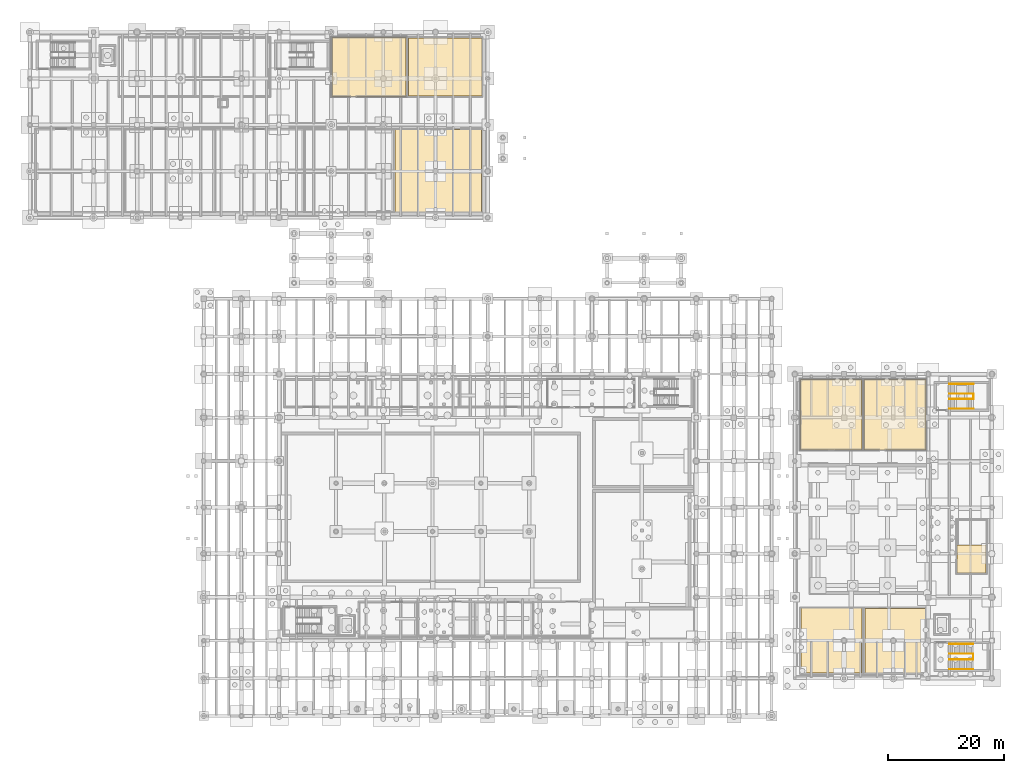
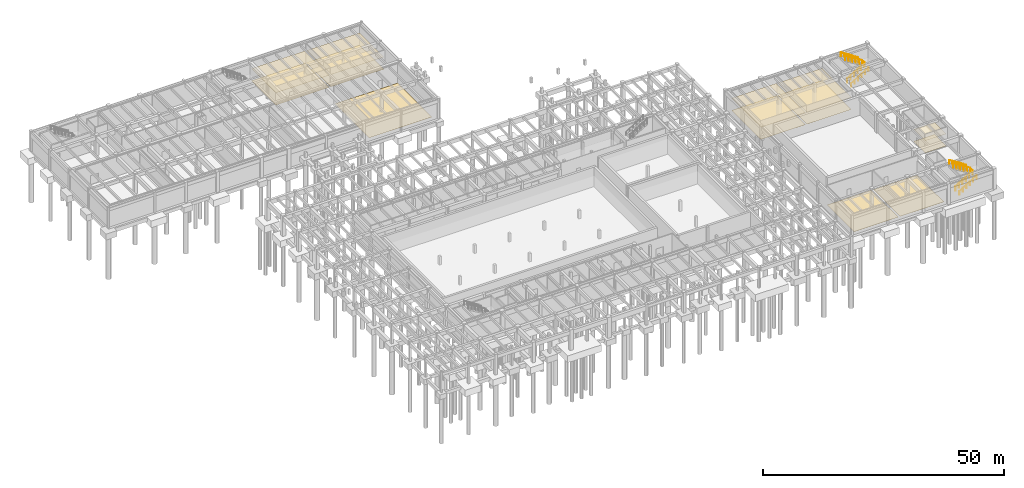
# One storey, part 35 of 36: 13 coverings, 6 railings.
"""IFC4 building model written with IfcOpenShell, lengths in metres."""

from ifc_helpers import new_model, si_unit, direction, frame, origin, origin_2d, place, context, subcontext, project, spatial, polyline, circle, outline, extrude, material, layer, layer_set, type_object, element, save


model = new_model("IFC4")

# Units and contexts
model_context = context("Model", 3, precision=1e-05, world=origin(), true_north=direction((0.0, 1.0)))
body_context = subcontext(model_context, "Body", "Model", "MODEL_VIEW")
ifc_project = project(units=[si_unit("LENGTHUNIT", "METRE"), si_unit("AREAUNIT", "SQUARE_METRE"), si_unit("VOLUMEUNIT", "CUBIC_METRE"), si_unit("PLANEANGLEUNIT", "RADIAN"), si_unit("MASSUNIT", "GRAM", prefix="KILO"), si_unit("THERMODYNAMICTEMPERATUREUNIT", "KELVIN"), si_unit("POWERUNIT", "WATT")], contexts=[model_context])

# Site, building, storey
site_placement = place(None, origin())
site = spatial("IfcSite", under=ifc_project, at=site_placement, CompositionType="ELEMENT")
building_placement = place(site_placement, origin())
building = spatial("IfcBuilding", under=site, at=building_placement, Name="Tepalcoro Natatorium and Aquatics Centre", CompositionType="ELEMENT")
storey_placement = place(building_placement, frame((0.0, 0.0, -5.199951171875)))
storey = spatial("IfcBuildingStorey", under=building, at=storey_placement, Name="B1", CompositionType="ELEMENT", Elevation=-5.199951171875)

# Coverings
ifc_material_1 = material(Name="Perforated Corrosion-Resistant Acoustic Aluminium Baffle Ceiling", Category="aluminium")
ifc_layer_1 = layer(ifc_material_1, 0.044921875)
ifc_layer_set_1 = layer_set([ifc_layer_1], Name="Perforated Corrosion-Resistant Acoustic Aluminium Baffle Ceiling")
covering_type_1 = type_object("IfcCoveringType", Name="CL_BAFFLE_120", PredefinedType="CEILING", material=ifc_layer_set_1)
covering_1_placement = place(storey_placement, frame((0.0, 0.0, 3.050048828125)))
element("IfcCovering", 1, at=covering_1_placement, inside=storey, type_object=covering_type_1, Name="Underwater Observation Window Gallery Suspended Ceiling", PredefinedType="CEILING", context=body_context, shape_type="SweptSolid", body=[
    extrude(outline(polyline([(142.97998046875, 45.93994140625), (142.97998046875, 58.06005859375), (153.6201171875, 58.06005859375), (153.6201171875, 45.93994140625), (142.97998046875, 45.93994140625)])), origin(), (0.0, 0.0, 1.0), 0.044921875),
])
covering_2_placement = place(storey_placement, frame((0.0, 0.0, 3.050048828125)))
element("IfcCovering", 2, at=covering_2_placement, inside=storey, type_object=covering_type_1, Name="Water-Quality Testing Laboratory Suspended Ceiling", PredefinedType="CEILING", context=body_context, shape_type="SweptSolid", body=[
    extrude(outline(polyline([(62.179931640625, 106.93994140625), (62.179931640625, 117.06005859375), (74.919921875, 117.06005859375), (74.919921875, 106.93994140625), (62.179931640625, 106.93994140625)])), origin(), (0.0, 0.0, 1.0), 0.044921875),
])
ifc_material_2 = material(Name="Moisture-Resistant Acoustic Gypsum Drywall on Cold-Formed Metal Studs")
ifc_layer_2 = layer(ifc_material_2, 0.030029296875)
ifc_layer_set_2 = layer_set([ifc_layer_2], Name="Moisture-Resistant Acoustic Gypsum Drywall on Cold-Formed Metal Studs")
covering_type_2 = type_object("IfcCoveringType", Name="CL_GYPSUM_30", PredefinedType="CEILING", material=ifc_layer_set_2)
covering_3_placement = place(storey_placement, frame((0.0, 0.0, 3.050048828125)))
element("IfcCovering", 3, at=covering_3_placement, inside=storey, type_object=covering_type_2, Name="Underwater Biomechanics Camera & Timing Vault Suspended Ceiling", PredefinedType="CEILING", context=body_context, shape_type="SweptSolid", body=[
    extrude(outline(polyline([(153.97998046875, 45.93994140625), (153.97998046875, 58.06005859375), (164.6201171875, 58.06005859375), (164.6201171875, 45.93994140625), (153.97998046875, 45.93994140625)])), origin(), (0.0, 0.0, 1.0), 0.02978515625),
])
covering_4_placement = place(storey_placement, frame((0.0, 0.0, 3.050048828125)))
element("IfcCovering", 4, at=covering_4_placement, inside=storey, type_object=covering_type_2, Name="Instrumentation & Telemetry Workshop Suspended Ceiling", PredefinedType="CEILING", context=body_context, shape_type="SweptSolid", body=[
    extrude(outline(polyline([(75.31005859375, 106.969970703125), (75.31005859375, 117.030029296875), (87.989990234375, 117.030029296875), (87.989990234375, 106.969970703125), (75.31005859375, 106.969970703125)])), origin(), (0.0, 0.0, 1.0), 0.02978515625),
])
ifc_layer_3 = layer(ifc_material_1, 0.0400390625)
ifc_layer_set_3 = layer_set([ifc_layer_3], Name="Perforated Corrosion-Resistant Acoustic Aluminium Baffle Ceiling")
covering_type_3 = type_object("IfcCoveringType", Name="CL_PERF_AL_40", PredefinedType="CEILING", material=ifc_layer_set_3)
covering_5_placement = place(storey_placement, frame((0.0, 0.0, 3.050048828125)))
element("IfcCovering", 5, at=covering_5_placement, inside=storey, type_object=covering_type_3, Name="B1 Staff Accessible WC & Shower Suspended Ceiling", PredefinedType="CEILING", context=body_context, shape_type="SweptSolid", body=[
    extrude(outline(polyline([(175.010009765625, 24.68994140625), (169.989990234375, 24.68994140625), (169.989990234375, 29.5), (175.010009765625, 29.5), (175.010009765625, 24.68994140625)])), origin(), (0.0, 0.0, 1.0), 0.039794921875),
])
ifc_material_3 = material(Name="Shock-Absorbing Vulcanised Athletic Rubber Flooring")
ifc_layer_4 = layer(ifc_material_3, 0.010009765625)
ifc_layer_set_4 = layer_set([ifc_layer_4], Name="Shock-Absorbing Vulcanised Athletic Rubber Flooring")
covering_type_4 = type_object("IfcCoveringType", Name="FL_CARPET_10", PredefinedType="FLOORING", material=ifc_layer_set_4)
covering_6_placement = place(storey_placement, origin())
element("IfcCovering", 6, at=covering_6_placement, inside=storey, type_object=covering_type_4, Name="Underwater Biomechanics Camera & Timing Vault Floor Finish", PredefinedType="FLOORING", context=body_context, shape_type="SweptSolid", body=[
    extrude(outline(polyline([(153.97998046875, 45.93994140625), (153.97998046875, 58.06005859375), (164.6201171875, 58.06005859375), (164.6201171875, 45.93994140625), (153.97998046875, 45.93994140625)])), origin(), (0.0, 0.0, 1.0), 0.010009765625),
])
ifc_material_4 = material(Name="Slip-Resistant Porcelain Aquatic Deck Tile")
ifc_layer_5 = layer(ifc_material_4, 0.02197265625)
ifc_layer_set_5 = layer_set([ifc_layer_5], Name="Slip-Resistant Porcelain Aquatic Deck Tile")
covering_type_5 = type_object("IfcCoveringType", Name="FL_DECK_TILE_22", PredefinedType="FLOORING", material=ifc_layer_set_5)
covering_7_placement = place(storey_placement, origin())
element("IfcCovering", 7, at=covering_7_placement, inside=storey, type_object=covering_type_5, Name="Diving Well Filtration & Air-Cushion Sparger Plant Floor Finish", PredefinedType="FLOORING", context=body_context, shape_type="SweptSolid", body=[
    extrude(outline(polyline([(143.034912109375, 7.39501953125), (143.034912109375, 18.60498046875), (153.56494140625, 18.60498046875), (153.56494140625, 7.39501953125), (143.034912109375, 7.39501953125)])), origin(), (0.0, 0.0, 1.0), 0.02197265625),
])
ifc_material_5 = material(Name="Chemical-Resistant Quartz-Broadcast Epoxy Flooring")
ifc_layer_6 = layer(ifc_material_5, 0.008056640625)
ifc_layer_set_6 = layer_set([ifc_layer_6], Name="Chemical-Resistant Quartz-Broadcast Epoxy Flooring")
covering_type_6 = type_object("IfcCoveringType", Name="FL_EPOXY_8", PredefinedType="FLOORING", material=ifc_layer_set_6)
covering_8_placement = place(storey_placement, origin())
element("IfcCovering", 8, at=covering_8_placement, inside=storey, type_object=covering_type_6, Name="Underwater Observation Window Gallery Floor Finish", PredefinedType="FLOORING", context=body_context, shape_type="SweptSolid", body=[
    extrude(outline(polyline([(142.97998046875, 45.93994140625), (142.97998046875, 58.06005859375), (153.6201171875, 58.06005859375), (153.6201171875, 45.93994140625), (142.97998046875, 45.93994140625)])), origin(), (0.0, 0.0, 1.0), 0.008056640625),
])
ifc_layer_7 = layer(ifc_material_3, 0.011962890625)
ifc_layer_set_7 = layer_set([ifc_layer_7], Name="Shock-Absorbing Vulcanised Athletic Rubber Flooring")
covering_type_7 = type_object("IfcCoveringType", Name="FL_RUBBER_12", PredefinedType="FLOORING", material=ifc_layer_set_7)
covering_9_placement = place(storey_placement, origin())
element("IfcCovering", 9, at=covering_9_placement, inside=storey, type_object=covering_type_7, Name="Water-Quality Testing Laboratory Floor Finish", PredefinedType="FLOORING", context=body_context, shape_type="SweptSolid", body=[
    extrude(outline(polyline([(62.179931640625, 106.93994140625), (62.179931640625, 117.06005859375), (74.919921875, 117.06005859375), (74.919921875, 106.93994140625), (62.179931640625, 106.93994140625)])), origin(), (0.0, 0.0, 1.0), 0.011962890625),
])
ifc_material_6 = material(Name="Polished Jalisco Basalt Aggregate Terrazzo Flooring", Category="masonry")
ifc_layer_8 = layer(ifc_material_6, 0.028076171875)
ifc_layer_set_8 = layer_set([ifc_layer_8], Name="Polished Jalisco Basalt Aggregate Terrazzo Flooring")
covering_type_8 = type_object("IfcCoveringType", Name="FL_TERRAZZO_25", PredefinedType="FLOORING", material=ifc_layer_set_8)
covering_10_placement = place(storey_placement, origin())
element("IfcCovering", 10, at=covering_10_placement, inside=storey, type_object=covering_type_8, Name="B1 Staff Accessible WC & Shower Floor Finish", PredefinedType="FLOORING", context=body_context, shape_type="SweptSolid", body=[
    extrude(outline(polyline([(175.010009765625, 24.68994140625), (169.989990234375, 24.68994140625), (169.989990234375, 29.5), (175.010009765625, 29.5), (175.010009765625, 24.68994140625)])), origin(), (0.0, 0.0, 1.0), 0.02783203125),
])
covering_11_placement = place(storey_placement, origin())
element("IfcCovering", 11, at=covering_11_placement, inside=storey, type_object=covering_type_8, Name="Engineer Staff Changing & Male/Female Toilets Floor Finish", PredefinedType="FLOORING", context=body_context, shape_type="SweptSolid", body=[
    extrude(outline(polyline([(72.969970703125, 87.010009765625), (72.969970703125, 101.18994140625), (87.949951171875, 101.18994140625), (87.949951171875, 87.010009765625), (72.969970703125, 87.010009765625)])), origin(), (0.0, 0.0, 1.0), 0.02783203125),
])
ifc_layer_9 = layer(ifc_material_4, 0.01806640625)
ifc_layer_set_9 = layer_set([ifc_layer_9], Name="Slip-Resistant Porcelain Aquatic Deck Tile")
covering_type_9 = type_object("IfcCoveringType", Name="FL_TILE_18", PredefinedType="FLOORING", material=ifc_layer_set_9)
covering_12_placement = place(storey_placement, origin())
element("IfcCovering", 12, at=covering_12_placement, inside=storey, type_object=covering_type_9, Name="Instrumentation & Telemetry Workshop Floor Finish", PredefinedType="FLOORING", context=body_context, shape_type="SweptSolid", body=[
    extrude(outline(polyline([(75.31005859375, 106.969970703125), (75.31005859375, 117.030029296875), (87.989990234375, 117.030029296875), (87.989990234375, 106.969970703125), (75.31005859375, 106.969970703125)])), origin(), (0.0, 0.0, 1.0), 0.01806640625),
])
ifc_material_7 = material(Name="Sprung Maple Sports Floor Assembly")
ifc_layer_10 = layer(ifc_material_7, 0.02392578125)
ifc_layer_set_10 = layer_set([ifc_layer_10], Name="Sprung Maple Sports Floor Assembly")
covering_type_10 = type_object("IfcCoveringType", Name="FL_WOOD_22", PredefinedType="FLOORING", material=ifc_layer_set_10)
covering_13_placement = place(storey_placement, origin())
element("IfcCovering", 13, at=covering_13_placement, inside=storey, type_object=covering_type_10, Name="Diving Surge Tank & Chemical Dosing Containment Floor Finish", PredefinedType="FLOORING", context=body_context, shape_type="SweptSolid", body=[
    extrude(outline(polyline([(154.074951171875, 7.43505859375), (154.074951171875, 18.56494140625), (164.52490234375, 18.56494140625), (164.52490234375, 7.43505859375), (154.074951171875, 7.43505859375)])), origin(), (0.0, 0.0, 1.0), 0.02392578125),
])

# Railings
ifc_material_8 = material(Name="Marine-Grade Brushed Stainless Steel AISI 316L", Category="steel")
railing_type_1 = type_object("IfcRailingType", Name="RL_HAND_920_SS", PredefinedType="HANDRAIL", material=ifc_material_8)
railing_1_placement = place(storey_placement, frame((168.64990234375, 8.080078125, 0.0)))
element("IfcRailing", 14, at=railing_1_placement, inside=storey, type_object=railing_type_1, Name="ST03-B1 Wall Handrail F1", PredefinedType="HANDRAIL", context=body_context, shape_type="SweptSolid", body=[
    extrude(circle(Radius=0.02392578125, at=origin_2d()), frame((0.0, 0.0, 0.89599609375), z_axis=(0.846287972148, 0.0, 0.532725696956), x_axis=(0.0, 1.0, 0.0)), (0.0, 0.0, 1.0), 4.88037109375),
    extrude(circle(Radius=0.02099609375, at=origin_2d()), origin(), (0.0, 0.0, 1.0), 0.871826171875),
    extrude(circle(Radius=0.02099609375, at=origin_2d()), frame((0.825927734375, 0.0, 0.52001953125)), (0.0, 0.0, 1.0), 0.871826171875),
    extrude(circle(Radius=0.02099609375, at=origin_2d()), frame((1.652099609375, 0.0, 1.0400390625)), (0.0, 0.0, 1.0), 0.871826171875),
    extrude(circle(Radius=0.02099609375, at=origin_2d()), frame((2.47802734375, 0.0, 1.559814453125)), (0.0, 0.0, 1.0), 0.871826171875),
    extrude(circle(Radius=0.02099609375, at=origin_2d()), frame((3.30419921875, 0.0, 2.079833984375)), (0.0, 0.0, 1.0), 0.871826171875),
    extrude(circle(Radius=0.02099609375, at=origin_2d()), frame((4.130126953125, 0.0, 2.599853515625)), (0.0, 0.0, 1.0), 0.871826171875),
])
railing_2_placement = place(storey_placement, frame((172.780029296875, 12.419921875, 2.599853515625)))
element("IfcRailing", 15, at=railing_2_placement, inside=storey, type_object=railing_type_1, Name="ST03-B1 Wall Handrail F2", PredefinedType="HANDRAIL", context=body_context, shape_type="SweptSolid", body=[
    extrude(circle(Radius=0.02392578125, at=origin_2d()), frame((0.0, 0.0, 0.89599609375), z_axis=(-0.846265418351, 0.0, 0.532761524233), x_axis=(0.0, -1.0, 0.0)), (0.0, 0.0, 1.0), 4.88037109375),
    extrude(circle(Radius=0.02099609375, at=origin_2d()), origin(), (0.0, 0.0, 1.0), 0.871826171875),
    extrude(circle(Radius=0.02099609375, at=origin_2d()), frame((-0.825927734375, 0.0, 0.52001953125)), (0.0, 0.0, 1.0), 0.871826171875),
    extrude(circle(Radius=0.02099609375, at=origin_2d()), frame((-1.652099609375, 0.0, 1.0400390625)), (0.0, 0.0, 1.0), 0.871826171875),
    extrude(circle(Radius=0.02099609375, at=origin_2d()), frame((-2.47802734375, 0.0, 1.56005859375)), (0.0, 0.0, 1.0), 0.871826171875),
    extrude(circle(Radius=0.02099609375, at=origin_2d()), frame((-3.30419921875, 0.0, 2.080078125)), (0.0, 0.0, 1.0), 0.871826171875),
    extrude(circle(Radius=0.02099609375, at=origin_2d()), frame((-4.130126953125, 0.0, 2.60009765625)), (0.0, 0.0, 1.0), 0.871826171875),
])
railing_3_placement = place(storey_placement, frame((168.699951171875, 53.030029296875, 0.0)))
element("IfcRailing", 16, at=railing_3_placement, inside=storey, type_object=railing_type_1, Name="ST04-B1 Wall Handrail F1", PredefinedType="HANDRAIL", context=body_context, shape_type="SweptSolid", body=[
    extrude(circle(Radius=0.02392578125, at=origin_2d()), frame((0.0, 0.0, 0.89599609375), z_axis=(0.846287972148, 0.0, 0.532725696956), x_axis=(0.0, 1.0, 0.0)), (0.0, 0.0, 1.0), 4.88037109375),
    extrude(circle(Radius=0.02099609375, at=origin_2d()), origin(), (0.0, 0.0, 1.0), 0.871826171875),
    extrude(circle(Radius=0.02099609375, at=origin_2d()), frame((0.825927734375, 0.0, 0.52001953125)), (0.0, 0.0, 1.0), 0.871826171875),
    extrude(circle(Radius=0.02099609375, at=origin_2d()), frame((1.652099609375, 0.0, 1.0400390625)), (0.0, 0.0, 1.0), 0.871826171875),
    extrude(circle(Radius=0.02099609375, at=origin_2d()), frame((2.47802734375, 0.0, 1.559814453125)), (0.0, 0.0, 1.0), 0.871826171875),
    extrude(circle(Radius=0.02099609375, at=origin_2d()), frame((3.30419921875, 0.0, 2.079833984375)), (0.0, 0.0, 1.0), 0.871826171875),
    extrude(circle(Radius=0.02099609375, at=origin_2d()), frame((4.130126953125, 0.0, 2.599853515625)), (0.0, 0.0, 1.0), 0.871826171875),
])
railing_4_placement = place(storey_placement, frame((172.830078125, 57.27001953125, 2.599853515625)))
element("IfcRailing", 17, at=railing_4_placement, inside=storey, type_object=railing_type_1, Name="ST04-B1 Wall Handrail F2", PredefinedType="HANDRAIL", context=body_context, shape_type="SweptSolid", body=[
    extrude(circle(Radius=0.02392578125, at=origin_2d()), frame((0.0, 0.0, 0.89599609375), z_axis=(-0.846265418351, 0.0, 0.532761524233), x_axis=(0.0, -1.0, 0.0)), (0.0, 0.0, 1.0), 4.88037109375),
    extrude(circle(Radius=0.02099609375, at=origin_2d()), origin(), (0.0, 0.0, 1.0), 0.871826171875),
    extrude(circle(Radius=0.02099609375, at=origin_2d()), frame((-0.825927734375, 0.0, 0.52001953125)), (0.0, 0.0, 1.0), 0.871826171875),
    extrude(circle(Radius=0.02099609375, at=origin_2d()), frame((-1.652099609375, 0.0, 1.0400390625)), (0.0, 0.0, 1.0), 0.871826171875),
    extrude(circle(Radius=0.02099609375, at=origin_2d()), frame((-2.47802734375, 0.0, 1.56005859375)), (0.0, 0.0, 1.0), 0.871826171875),
    extrude(circle(Radius=0.02099609375, at=origin_2d()), frame((-3.30419921875, 0.0, 2.080078125)), (0.0, 0.0, 1.0), 0.871826171875),
    extrude(circle(Radius=0.02099609375, at=origin_2d()), frame((-4.130126953125, 0.0, 2.60009765625)), (0.0, 0.0, 1.0), 0.871826171875),
])
railing_type_2 = type_object("IfcRailingType", Name="RL_PERF_1100", PredefinedType="GUARDRAIL", material=ifc_material_8)
railing_5_placement = place(storey_placement, frame((168.64990234375, 9.75, 0.0)))
element("IfcRailing", 18, at=railing_5_placement, inside=storey, type_object=railing_type_2, Name="ST03-B1 Inner Stairwell Guardrail", PredefinedType="GUARDRAIL", context=body_context, shape_type="SweptSolid", body=[
    extrude(circle(Radius=0.02392578125, at=origin_2d()), frame((0.0, 0.0, 1.11572265625), z_axis=(0.846287972148, 0.0, 0.532725696956), x_axis=(0.0, 1.0, 0.0)), (0.0, 0.0, 1.0), 4.88037109375),
    extrude(circle(Radius=0.02392578125, at=origin_2d()), frame((4.130126953125, 0.0, 3.7158203125), z_axis=(0.0, 1.0, 0.0), x_axis=(-1.0, 0.0, 0.0)), (0.0, 0.0, 1.0), 1.0),
    extrude(circle(Radius=0.02392578125, at=origin_2d()), frame((4.130126953125, 1.0, 3.7158203125), z_axis=(-0.846265418351, 0.0, 0.532761524233), x_axis=(0.0, -1.0, 0.0)), (0.0, 0.0, 1.0), 4.88037109375),
    extrude(circle(Radius=0.02099609375, at=origin_2d()), origin(), (0.0, 0.0, 1.0), 1.091796875),
    extrude(circle(Radius=0.02099609375, at=origin_2d()), frame((0.825927734375, 0.0, 0.52001953125)), (0.0, 0.0, 1.0), 1.091796875),
    extrude(circle(Radius=0.02099609375, at=origin_2d()), frame((1.652099609375, 0.0, 1.0400390625)), (0.0, 0.0, 1.0), 1.091796875),
    extrude(circle(Radius=0.02099609375, at=origin_2d()), frame((2.47802734375, 0.0, 1.559814453125)), (0.0, 0.0, 1.0), 1.091796875),
    extrude(circle(Radius=0.02099609375, at=origin_2d()), frame((3.30419921875, 0.0, 2.079833984375)), (0.0, 0.0, 1.0), 1.091796875),
    extrude(circle(Radius=0.02099609375, at=origin_2d()), frame((4.130126953125, 0.0, 2.599853515625)), (0.0, 0.0, 1.0), 1.091796875),
    extrude(circle(Radius=0.02099609375, at=origin_2d()), frame((4.130126953125, 1.0, 2.599853515625)), (0.0, 0.0, 1.0), 1.091796875),
    extrude(circle(Radius=0.02099609375, at=origin_2d()), frame((3.30419921875, 1.0, 3.119873046875)), (0.0, 0.0, 1.0), 1.091796875),
    extrude(circle(Radius=0.02099609375, at=origin_2d()), frame((2.47802734375, 1.0, 3.639892578125)), (0.0, 0.0, 1.0), 1.091796875),
    extrude(circle(Radius=0.02099609375, at=origin_2d()), frame((1.652099609375, 1.0, 4.159912109375)), (0.0, 0.0, 1.0), 1.091796875),
    extrude(circle(Radius=0.02099609375, at=origin_2d()), frame((0.825927734375, 1.0, 4.679931640625)), (0.0, 0.0, 1.0), 1.091796875),
    extrude(circle(Radius=0.02099609375, at=origin_2d()), frame((0.0, 1.0, 5.199951171875)), (0.0, 0.0, 1.0), 1.091796875),
])
railing_6_placement = place(storey_placement, frame((168.699951171875, 54.699951171875, 0.0)))
element("IfcRailing", 19, at=railing_6_placement, inside=storey, type_object=railing_type_2, Name="ST04-B1 Inner Stairwell Guardrail", PredefinedType="GUARDRAIL", context=body_context, shape_type="SweptSolid", body=[
    extrude(circle(Radius=0.02392578125, at=origin_2d()), frame((0.0, 0.0, 1.11572265625), z_axis=(0.846287972148, 0.0, 0.532725696956), x_axis=(0.0, 1.0, 0.0)), (0.0, 0.0, 1.0), 4.88037109375),
    extrude(circle(Radius=0.02392578125, at=origin_2d()), frame((4.130126953125, 0.0, 3.7158203125), z_axis=(0.0, 1.0, 0.0), x_axis=(-1.0, 0.0, 0.0)), (0.0, 0.0, 1.0), 0.900146484375),
    extrude(circle(Radius=0.02392578125, at=origin_2d()), frame((4.130126953125, 0.900146484375, 3.7158203125), z_axis=(-0.846265418351, 0.0, 0.532761524233), x_axis=(0.0, -1.0, 0.0)), (0.0, 0.0, 1.0), 4.88037109375),
    extrude(circle(Radius=0.02099609375, at=origin_2d()), origin(), (0.0, 0.0, 1.0), 1.091796875),
    extrude(circle(Radius=0.02099609375, at=origin_2d()), frame((0.825927734375, 0.0, 0.52001953125)), (0.0, 0.0, 1.0), 1.091796875),
    extrude(circle(Radius=0.02099609375, at=origin_2d()), frame((1.652099609375, 0.0, 1.0400390625)), (0.0, 0.0, 1.0), 1.091796875),
    extrude(circle(Radius=0.02099609375, at=origin_2d()), frame((2.47802734375, 0.0, 1.559814453125)), (0.0, 0.0, 1.0), 1.091796875),
    extrude(circle(Radius=0.02099609375, at=origin_2d()), frame((3.30419921875, 0.0, 2.079833984375)), (0.0, 0.0, 1.0), 1.091796875),
    extrude(circle(Radius=0.02099609375, at=origin_2d()), frame((4.130126953125, 0.0, 2.599853515625)), (0.0, 0.0, 1.0), 1.091796875),
    extrude(circle(Radius=0.02099609375, at=origin_2d()), frame((4.130126953125, 0.900146484375, 2.599853515625)), (0.0, 0.0, 1.0), 1.091796875),
    extrude(circle(Radius=0.02099609375, at=origin_2d()), frame((3.30419921875, 0.900146484375, 3.119873046875)), (0.0, 0.0, 1.0), 1.091796875),
    extrude(circle(Radius=0.02099609375, at=origin_2d()), frame((2.47802734375, 0.900146484375, 3.639892578125)), (0.0, 0.0, 1.0), 1.091796875),
    extrude(circle(Radius=0.02099609375, at=origin_2d()), frame((1.652099609375, 0.900146484375, 4.159912109375)), (0.0, 0.0, 1.0), 1.091796875),
    extrude(circle(Radius=0.02099609375, at=origin_2d()), frame((0.825927734375, 0.900146484375, 4.679931640625)), (0.0, 0.0, 1.0), 1.091796875),
    extrude(circle(Radius=0.02099609375, at=origin_2d()), frame((0.0, 0.900146484375, 5.199951171875)), (0.0, 0.0, 1.0), 1.091796875),
])

save(model, "model.ifc")
